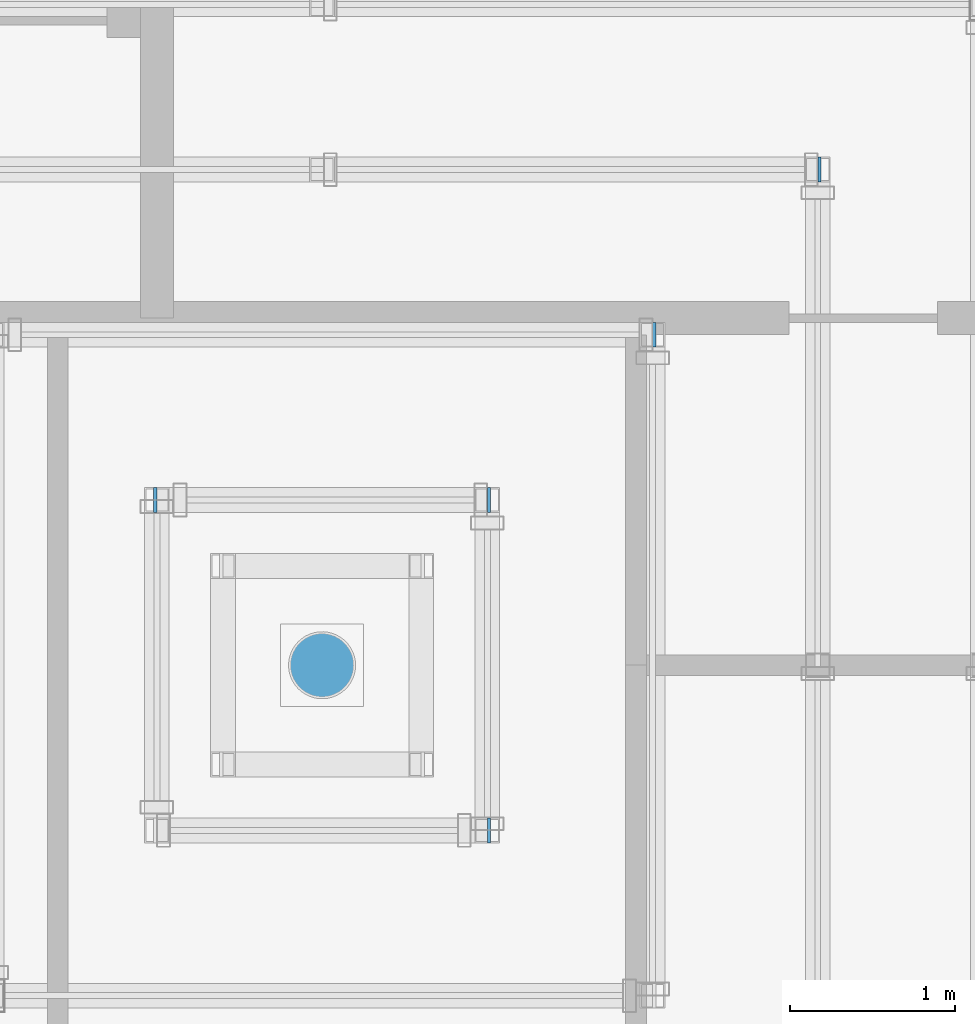
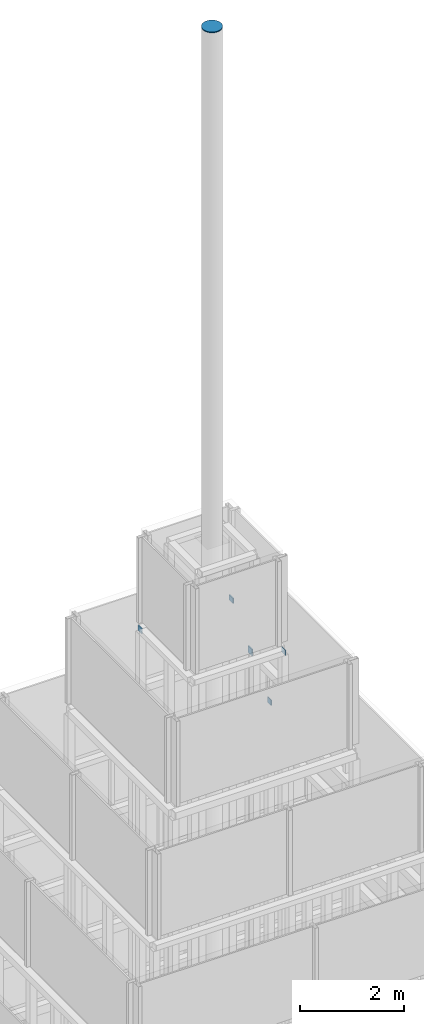
# One storey, part 22 of 24: 6 discrete accessories.
"""IFC4 building model written with IfcOpenShell, lengths in metres."""

from ifc_helpers import new_model, si_unit, direction, frame, origin, origin_2d, place, context, subcontext, project, spatial, rectangle, circle, extrude, element, save


model = new_model("IFC4")

# Units and contexts
model_context = context("Model", 3, precision=1e-05, world=origin(), true_north=direction((0.0, 1.0)))
body_context = subcontext(model_context, "Body", "Model", "MODEL_VIEW")
ifc_project = project(units=[si_unit("LENGTHUNIT", "METRE"), si_unit("AREAUNIT", "SQUARE_METRE"), si_unit("VOLUMEUNIT", "CUBIC_METRE"), si_unit("PLANEANGLEUNIT", "RADIAN"), si_unit("MASSUNIT", "GRAM", prefix="KILO")], contexts=[model_context])

# Site, building, storey
site_placement = place(None, origin())
site = spatial("IfcSite", under=ifc_project, at=site_placement, CompositionType="ELEMENT")
building_placement = place(site_placement, origin())
building = spatial("IfcBuilding", under=site, at=building_placement, Name="Altepetl Exchange Towers", CompositionType="ELEMENT")
storey_placement = place(building_placement, frame((0.0, 0.0, 279.10009765625)))
storey = spatial("IfcBuildingStorey", under=building, at=storey_placement, Name="L70 Crown plant", CompositionType="ELEMENT", Elevation=279.10009765625)

# Discrete accessories
discrete_accessory_1_placement = place(storey_placement, frame((52.510009765625, 52.5, 14.979736328125)))
element("IfcDiscreteAccessory", 1, at=discrete_accessory_1_placement, inside=storey, Name="End cap plate", ObjectType="END CAP PLATE", PredefinedType="USERDEFINED", context=body_context, shape_type="SweptSolid", body=[
    extrude(rectangle(XDim=0.02001953125, YDim=0.14990234375, at=origin_2d()), origin(), (0.0, 0.0, 1.0), 0.1201171875),
])
discrete_accessory_2_placement = place(storey_placement, frame((51.510009765625, 51.5, 17.08984375)))
element("IfcDiscreteAccessory", 2, at=discrete_accessory_2_placement, inside=storey, Name="End cap plate", ObjectType="END CAP PLATE", PredefinedType="USERDEFINED", context=body_context, shape_type="SweptSolid", body=[
    extrude(rectangle(XDim=0.02001953125, YDim=0.14990234375, at=origin_2d()), origin(), (0.0, 0.0, 1.0), 0.159912109375),
])
for number, where, name in (
    (3, (50.510009765625, 48.5, 19.27978515625), "End cap plate"),
    (4, (50.510009765625, 50.5, 19.27978515625), "End cap plate"),
):
    element("IfcDiscreteAccessory", number, at=place(storey_placement, frame(where)), inside=storey, Name=name, ObjectType="END CAP PLATE", PredefinedType="USERDEFINED", context=body_context, shape_type="SweptSolid", body=[
        extrude(rectangle(XDim=0.02001953125, YDim=0.14990234375, at=origin_2d()), origin(), (0.0, 0.0, 1.0), 0.1201171875),
    ])
discrete_accessory_3_placement = place(storey_placement, frame((48.489990234375, 50.5, 19.27978515625), z_axis=(0.0, 0.0, 1.0), x_axis=(-1.0, 0.0, 0.0)))
element("IfcDiscreteAccessory", 5, at=discrete_accessory_3_placement, inside=storey, Name="End cap plate", ObjectType="END CAP PLATE", PredefinedType="USERDEFINED", context=body_context, shape_type="SweptSolid", body=[
    extrude(rectangle(XDim=0.02001953125, YDim=0.14990234375, at=origin_2d()), origin(), (0.0, 0.0, 1.0), 0.1201171875),
])
discrete_accessory_4_placement = place(storey_placement, frame((49.5, 49.5, 33.699951171875)))
element("IfcDiscreteAccessory", 6, at=discrete_accessory_4_placement, inside=storey, Name="End cap plate", ObjectType="END CAP PLATE", PredefinedType="USERDEFINED", context=body_context, shape_type="SweptSolid", body=[
    extrude(circle(Radius=0.202880859375, at=origin_2d()), origin(), (0.0, 0.0, 1.0), 0.02001953125),
])

save(model, "model.ifc")
